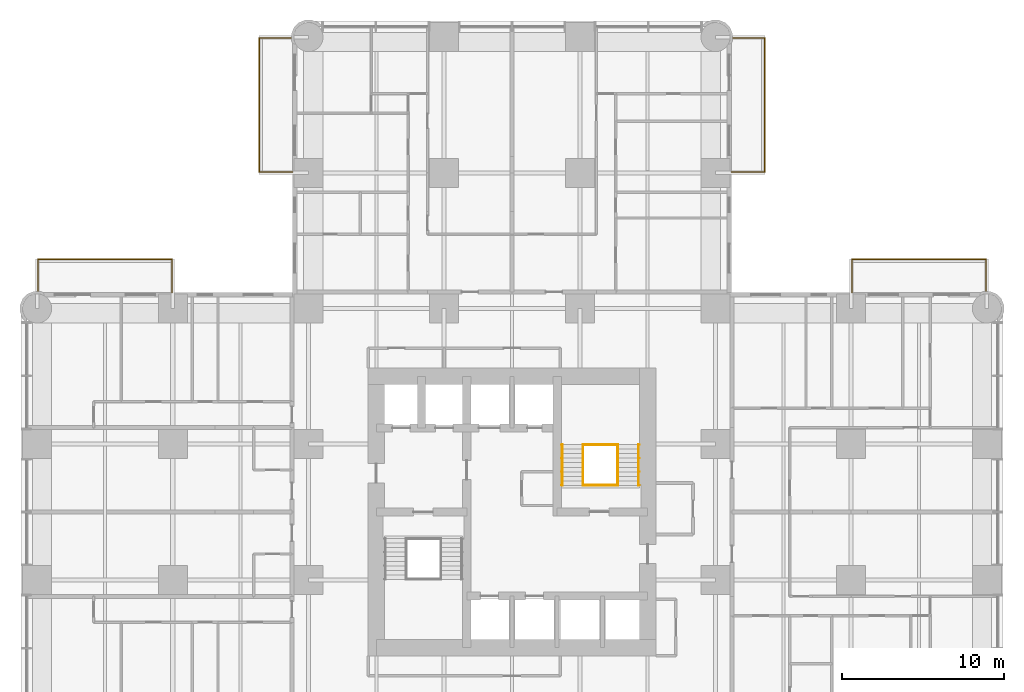
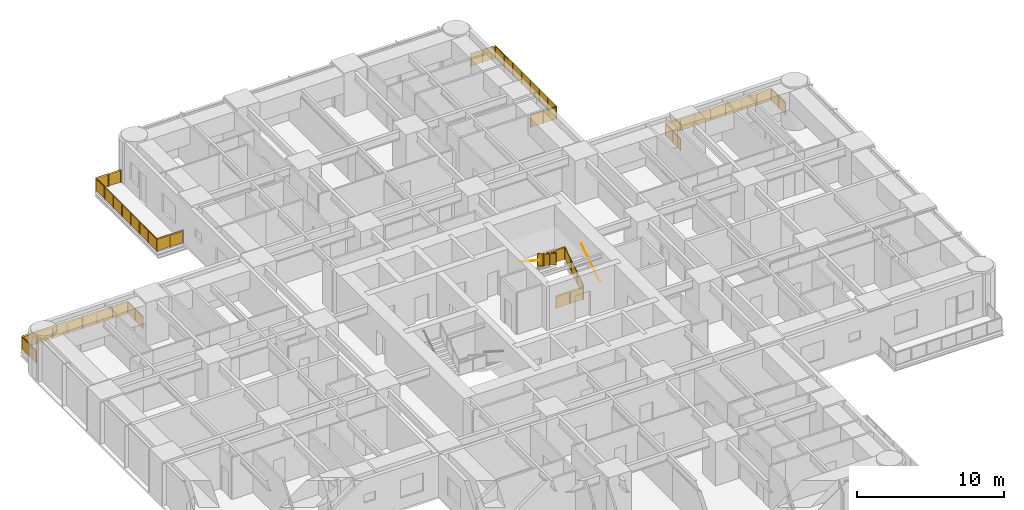
# One storey, part 17 of 17: 10 railings.
"""IFC4 building model written with IfcOpenShell, lengths in metres."""

from ifc_helpers import new_model, si_unit, direction, frame, origin, origin_2d, place, context, subcontext, project, spatial, polyline, circle, outline, extrude, material, constituent, constituent_set, type_object, element, save


model = new_model("IFC4")

# Units and contexts
model_context = context("Model", 3, precision=1e-05, world=origin(), true_north=direction((0.0, 1.0)))
body_context = subcontext(model_context, "Body", "Model", "MODEL_VIEW")
ifc_project = project(units=[si_unit("LENGTHUNIT", "METRE"), si_unit("AREAUNIT", "SQUARE_METRE"), si_unit("VOLUMEUNIT", "CUBIC_METRE"), si_unit("PLANEANGLEUNIT", "RADIAN"), si_unit("MASSUNIT", "GRAM", prefix="KILO")], contexts=[model_context])

# Site, building, storey
site_placement = place(None, origin())
site = spatial("IfcSite", under=ifc_project, at=site_placement, CompositionType="ELEMENT")
building_placement = place(site_placement, origin())
building = spatial("IfcBuilding", under=site, at=building_placement, Name="Torre Alcanfor", CompositionType="ELEMENT")
storey_placement = place(building_placement, frame((0.0, 0.0, 77.699951171875)))
storey = spatial("IfcBuildingStorey", under=building, at=storey_placement, Name="L19", CompositionType="ELEMENT", Elevation=77.699951171875)

# Railings
ifc_material_1 = material(Name="Laminated safety glass", Category="glass")
ifc_constituent_1 = constituent(ifc_material_1, Name="Infill")
ifc_material_2 = material(Name="Stainless steel ASTM A554 Grade MT 316L tube", Category="steel")
ifc_constituent_2 = constituent(ifc_material_2, Name="Posts and rail")
ifc_constituent_set = constituent_set(constituents=[ifc_constituent_1, ifc_constituent_2], Name="Balcony guard glass 1100")
railing_type_1 = type_object("IfcRailingType", Name="Balcony guard glass 1100", PredefinedType="BALUSTRADE", material=ifc_constituent_set)
railing_1_placement = place(storey_placement, frame((15.800048828125, 50.449951171875, 0.0)))
element("IfcRailing", 1, at=railing_1_placement, inside=storey, type_object=railing_type_1, Name="Balcony guard L19-N1", PredefinedType="BALUSTRADE", context=body_context, shape_type="SweptSolid", body=[
    extrude(circle(Radius=0.02392578125, at=origin_2d()), frame((0.0, 0.0, 1.076171875), z_axis=(-1.0, 0.0, 0.0), x_axis=(0.0, -1.0, 0.0)), (0.0, 0.0, 1.0), 2.050048828125),
    extrude(circle(Radius=0.02392578125, at=origin_2d()), frame((-2.050048828125, 0.0, 1.076171875), z_axis=(0.0, 1.0, 0.0), x_axis=(-1.0, 0.0, 0.0)), (0.0, 0.0, 1.0), 8.300048828125),
    extrude(circle(Radius=0.02392578125, at=origin_2d()), frame((-2.050048828125, 8.300048828125, 1.076171875), z_axis=(1.0, 0.0, 0.0), x_axis=(0.0, 1.0, 0.0)), (0.0, 0.0, 1.0), 1.968994140625),
    extrude(circle(Radius=0.02099609375, at=origin_2d()), origin(), (0.0, 0.0, 1.0), 1.052001953125),
    extrude(circle(Radius=0.02099609375, at=origin_2d()), frame((-1.02490234375, 0.0, 0.0)), (0.0, 0.0, 1.0), 1.052001953125),
    extrude(circle(Radius=0.02099609375, at=origin_2d()), frame((-2.050048828125, 0.0, 0.0)), (0.0, 0.0, 1.0), 1.052001953125),
    extrude(circle(Radius=0.02099609375, at=origin_2d()), frame((-2.050048828125, 1.185791015625, 0.0)), (0.0, 0.0, 1.0), 1.052001953125),
    extrude(circle(Radius=0.02099609375, at=origin_2d()), frame((-2.050048828125, 2.371337890625, 0.0)), (0.0, 0.0, 1.0), 1.052001953125),
    extrude(circle(Radius=0.02099609375, at=origin_2d()), frame((-2.050048828125, 3.55712890625, 0.0)), (0.0, 0.0, 1.0), 1.052001953125),
    extrude(circle(Radius=0.02099609375, at=origin_2d()), frame((-2.050048828125, 4.742919921875, 0.0)), (0.0, 0.0, 1.0), 1.052001953125),
    extrude(circle(Radius=0.02099609375, at=origin_2d()), frame((-2.050048828125, 5.9287109375, 0.0)), (0.0, 0.0, 1.0), 1.052001953125),
    extrude(circle(Radius=0.02099609375, at=origin_2d()), frame((-2.050048828125, 7.1142578125, 0.0)), (0.0, 0.0, 1.0), 1.052001953125),
    extrude(circle(Radius=0.02099609375, at=origin_2d()), frame((-2.050048828125, 8.300048828125, 0.0)), (0.0, 0.0, 1.0), 1.052001953125),
    extrude(circle(Radius=0.02099609375, at=origin_2d()), frame((-1.0654296875, 8.300048828125, 0.0)), (0.0, 0.0, 1.0), 1.052001953125),
    extrude(circle(Radius=0.02099609375, at=origin_2d()), frame((-0.0810546875, 8.300048828125, 0.0)), (0.0, 0.0, 1.0), 1.052001953125),
    extrude(outline(polyline([(0.041015625, 0.050048828125), (0.984130859375, 0.050048828125), (0.984130859375, 1.001953125), (0.041015625, 1.001953125), (0.041015625, 0.050048828125)])), frame((0.0, -0.005859375, 0.0), z_axis=(0.0, 1.0, 0.0), x_axis=(-1.0, 0.0, 0.0)), (0.0, 0.0, 1.0), 0.011962890625),
    extrude(outline(polyline([(1.06591796875, 0.050048828125), (2.009033203125, 0.050048828125), (2.009033203125, 1.001953125), (1.06591796875, 1.001953125), (1.06591796875, 0.050048828125)])), frame((0.0, -0.005859375, 0.0), z_axis=(0.0, 1.0, 0.0), x_axis=(-1.0, 0.0, 0.0)), (0.0, 0.0, 1.0), 0.011962890625),
    extrude(outline(polyline([(0.041015625, 0.050048828125), (1.144775390625, 0.050048828125), (1.144775390625, 1.001953125), (0.041015625, 1.001953125), (0.041015625, 0.050048828125)])), frame((-2.05615234375, 0.0, 0.0), z_axis=(1.0, 0.0, 0.0), x_axis=(0.0, 1.0, 0.0)), (0.0, 0.0, 1.0), 0.011962890625),
    extrude(outline(polyline([(1.226806640625, 0.050048828125), (2.330322265625, 0.050048828125), (2.330322265625, 1.001953125), (1.226806640625, 1.001953125), (1.226806640625, 0.050048828125)])), frame((-2.05615234375, 0.0, 0.0), z_axis=(1.0, 0.0, 0.0), x_axis=(0.0, 1.0, 0.0)), (0.0, 0.0, 1.0), 0.011962890625),
    extrude(outline(polyline([(2.412353515625, 0.050048828125), (3.51611328125, 0.050048828125), (3.51611328125, 1.001953125), (2.412353515625, 1.001953125), (2.412353515625, 0.050048828125)])), frame((-2.05615234375, 0.0, 0.0), z_axis=(1.0, 0.0, 0.0), x_axis=(0.0, 1.0, 0.0)), (0.0, 0.0, 1.0), 0.011962890625),
    extrude(outline(polyline([(3.59814453125, 0.050048828125), (4.701904296875, 0.050048828125), (4.701904296875, 1.001953125), (3.59814453125, 1.001953125), (3.59814453125, 0.050048828125)])), frame((-2.05615234375, 0.0, 0.0), z_axis=(1.0, 0.0, 0.0), x_axis=(0.0, 1.0, 0.0)), (0.0, 0.0, 1.0), 0.011962890625),
    extrude(outline(polyline([(4.783935546875, 0.050048828125), (5.8876953125, 0.050048828125), (5.8876953125, 1.001953125), (4.783935546875, 1.001953125), (4.783935546875, 0.050048828125)])), frame((-2.05615234375, 0.0, 0.0), z_axis=(1.0, 0.0, 0.0), x_axis=(0.0, 1.0, 0.0)), (0.0, 0.0, 1.0), 0.011962890625),
    extrude(outline(polyline([(5.9697265625, 0.050048828125), (7.0732421875, 0.050048828125), (7.0732421875, 1.001953125), (5.9697265625, 1.001953125), (5.9697265625, 0.050048828125)])), frame((-2.05615234375, 0.0, 0.0), z_axis=(1.0, 0.0, 0.0), x_axis=(0.0, 1.0, 0.0)), (0.0, 0.0, 1.0), 0.011962890625),
    extrude(outline(polyline([(7.1552734375, 0.050048828125), (8.259033203125, 0.050048828125), (8.259033203125, 1.001953125), (7.1552734375, 1.001953125), (7.1552734375, 0.050048828125)])), frame((-2.05615234375, 0.0, 0.0), z_axis=(1.0, 0.0, 0.0), x_axis=(0.0, 1.0, 0.0)), (0.0, 0.0, 1.0), 0.011962890625),
    extrude(outline(polyline([(0.041015625, 0.050048828125), (0.943603515625, 0.050048828125), (0.943603515625, 1.001953125), (0.041015625, 1.001953125), (0.041015625, 0.050048828125)])), frame((-2.050048828125, 8.30615234375, 0.0), z_axis=(0.0, -1.0, 0.0), x_axis=(1.0, 0.0, 0.0)), (0.0, 0.0, 1.0), 0.011962890625),
    extrude(outline(polyline([(1.025390625, 0.050048828125), (1.927978515625, 0.050048828125), (1.927978515625, 1.001953125), (1.025390625, 1.001953125), (1.025390625, 0.050048828125)])), frame((-2.050048828125, 8.30615234375, 0.0), z_axis=(0.0, -1.0, 0.0), x_axis=(1.0, 0.0, 0.0)), (0.0, 0.0, 1.0), 0.011962890625),
])
railing_2_placement = place(storey_placement, frame((43.0, 50.449951171875, 0.0)))
element("IfcRailing", 2, at=railing_2_placement, inside=storey, type_object=railing_type_1, Name="Balcony guard L19-N2", PredefinedType="BALUSTRADE", context=body_context, shape_type="SweptSolid", body=[
    extrude(circle(Radius=0.02392578125, at=origin_2d()), frame((0.0, 0.0, 1.076171875), z_axis=(1.0, 0.0, 0.0), x_axis=(0.0, 1.0, 0.0)), (0.0, 0.0, 1.0), 2.050048828125),
    extrude(circle(Radius=0.02392578125, at=origin_2d()), frame((2.050048828125, 0.0, 1.076171875), z_axis=(0.0, 1.0, 0.0), x_axis=(-1.0, 0.0, 0.0)), (0.0, 0.0, 1.0), 8.300048828125),
    extrude(circle(Radius=0.02392578125, at=origin_2d()), frame((2.050048828125, 8.300048828125, 1.076171875), z_axis=(-1.0, 0.0, 0.0), x_axis=(0.0, -1.0, 0.0)), (0.0, 0.0, 1.0), 1.968994140625),
    extrude(circle(Radius=0.02099609375, at=origin_2d()), origin(), (0.0, 0.0, 1.0), 1.052001953125),
    extrude(circle(Radius=0.02099609375, at=origin_2d()), frame((1.02490234375, 0.0, 0.0)), (0.0, 0.0, 1.0), 1.052001953125),
    extrude(circle(Radius=0.02099609375, at=origin_2d()), frame((2.050048828125, 0.0, 0.0)), (0.0, 0.0, 1.0), 1.052001953125),
    extrude(circle(Radius=0.02099609375, at=origin_2d()), frame((2.050048828125, 1.185791015625, 0.0)), (0.0, 0.0, 1.0), 1.052001953125),
    extrude(circle(Radius=0.02099609375, at=origin_2d()), frame((2.050048828125, 2.371337890625, 0.0)), (0.0, 0.0, 1.0), 1.052001953125),
    extrude(circle(Radius=0.02099609375, at=origin_2d()), frame((2.050048828125, 3.55712890625, 0.0)), (0.0, 0.0, 1.0), 1.052001953125),
    extrude(circle(Radius=0.02099609375, at=origin_2d()), frame((2.050048828125, 4.742919921875, 0.0)), (0.0, 0.0, 1.0), 1.052001953125),
    extrude(circle(Radius=0.02099609375, at=origin_2d()), frame((2.050048828125, 5.9287109375, 0.0)), (0.0, 0.0, 1.0), 1.052001953125),
    extrude(circle(Radius=0.02099609375, at=origin_2d()), frame((2.050048828125, 7.1142578125, 0.0)), (0.0, 0.0, 1.0), 1.052001953125),
    extrude(circle(Radius=0.02099609375, at=origin_2d()), frame((2.050048828125, 8.300048828125, 0.0)), (0.0, 0.0, 1.0), 1.052001953125),
    extrude(circle(Radius=0.02099609375, at=origin_2d()), frame((1.0654296875, 8.300048828125, 0.0)), (0.0, 0.0, 1.0), 1.052001953125),
    extrude(circle(Radius=0.02099609375, at=origin_2d()), frame((0.0810546875, 8.300048828125, 0.0)), (0.0, 0.0, 1.0), 1.052001953125),
    extrude(outline(polyline([(0.041015625, 0.050048828125), (0.984130859375, 0.050048828125), (0.984130859375, 1.001953125), (0.041015625, 1.001953125), (0.041015625, 0.050048828125)])), frame((0.0, 0.005859375, 0.0), z_axis=(0.0, -1.0, 0.0), x_axis=(1.0, 0.0, 0.0)), (0.0, 0.0, 1.0), 0.011962890625),
    extrude(outline(polyline([(1.06591796875, 0.050048828125), (2.009033203125, 0.050048828125), (2.009033203125, 1.001953125), (1.06591796875, 1.001953125), (1.06591796875, 0.050048828125)])), frame((0.0, 0.005859375, 0.0), z_axis=(0.0, -1.0, 0.0), x_axis=(1.0, 0.0, 0.0)), (0.0, 0.0, 1.0), 0.011962890625),
    extrude(outline(polyline([(0.041015625, 0.050048828125), (1.144775390625, 0.050048828125), (1.144775390625, 1.001953125), (0.041015625, 1.001953125), (0.041015625, 0.050048828125)])), frame((2.0439453125, 0.0, 0.0), z_axis=(1.0, 0.0, 0.0), x_axis=(0.0, 1.0, 0.0)), (0.0, 0.0, 1.0), 0.011962890625),
    extrude(outline(polyline([(1.226806640625, 0.050048828125), (2.330322265625, 0.050048828125), (2.330322265625, 1.001953125), (1.226806640625, 1.001953125), (1.226806640625, 0.050048828125)])), frame((2.0439453125, 0.0, 0.0), z_axis=(1.0, 0.0, 0.0), x_axis=(0.0, 1.0, 0.0)), (0.0, 0.0, 1.0), 0.011962890625),
    extrude(outline(polyline([(2.412353515625, 0.050048828125), (3.51611328125, 0.050048828125), (3.51611328125, 1.001953125), (2.412353515625, 1.001953125), (2.412353515625, 0.050048828125)])), frame((2.0439453125, 0.0, 0.0), z_axis=(1.0, 0.0, 0.0), x_axis=(0.0, 1.0, 0.0)), (0.0, 0.0, 1.0), 0.011962890625),
    extrude(outline(polyline([(3.59814453125, 0.050048828125), (4.701904296875, 0.050048828125), (4.701904296875, 1.001953125), (3.59814453125, 1.001953125), (3.59814453125, 0.050048828125)])), frame((2.0439453125, 0.0, 0.0), z_axis=(1.0, 0.0, 0.0), x_axis=(0.0, 1.0, 0.0)), (0.0, 0.0, 1.0), 0.011962890625),
    extrude(outline(polyline([(4.783935546875, 0.050048828125), (5.8876953125, 0.050048828125), (5.8876953125, 1.001953125), (4.783935546875, 1.001953125), (4.783935546875, 0.050048828125)])), frame((2.0439453125, 0.0, 0.0), z_axis=(1.0, 0.0, 0.0), x_axis=(0.0, 1.0, 0.0)), (0.0, 0.0, 1.0), 0.011962890625),
    extrude(outline(polyline([(5.9697265625, 0.050048828125), (7.0732421875, 0.050048828125), (7.0732421875, 1.001953125), (5.9697265625, 1.001953125), (5.9697265625, 0.050048828125)])), frame((2.0439453125, 0.0, 0.0), z_axis=(1.0, 0.0, 0.0), x_axis=(0.0, 1.0, 0.0)), (0.0, 0.0, 1.0), 0.011962890625),
    extrude(outline(polyline([(7.1552734375, 0.050048828125), (8.259033203125, 0.050048828125), (8.259033203125, 1.001953125), (7.1552734375, 1.001953125), (7.1552734375, 0.050048828125)])), frame((2.0439453125, 0.0, 0.0), z_axis=(1.0, 0.0, 0.0), x_axis=(0.0, 1.0, 0.0)), (0.0, 0.0, 1.0), 0.011962890625),
    extrude(outline(polyline([(0.041015625, 0.050048828125), (0.943603515625, 0.050048828125), (0.943603515625, 1.001953125), (0.041015625, 1.001953125), (0.041015625, 0.050048828125)])), frame((2.050048828125, 8.2939453125, 0.0), z_axis=(0.0, 1.0, 0.0), x_axis=(-1.0, 0.0, 0.0)), (0.0, 0.0, 1.0), 0.011962890625),
    extrude(outline(polyline([(1.025390625, 0.050048828125), (1.927978515625, 0.050048828125), (1.927978515625, 1.001953125), (1.025390625, 1.001953125), (1.025390625, 0.050048828125)])), frame((2.050048828125, 8.2939453125, 0.0), z_axis=(0.0, 1.0, 0.0), x_axis=(-1.0, 0.0, 0.0)), (0.0, 0.0, 1.0), 0.011962890625),
])
railing_3_placement = place(storey_placement, frame((50.449951171875, 43.0, 0.0)))
element("IfcRailing", 3, at=railing_3_placement, inside=storey, type_object=railing_type_1, Name="Balcony guard L19-E1", PredefinedType="BALUSTRADE", context=body_context, shape_type="SweptSolid", body=[
    extrude(circle(Radius=0.02392578125, at=origin_2d()), frame((0.0, 0.0, 1.076171875), z_axis=(0.0, 1.0, 0.0), x_axis=(-1.0, 0.0, 0.0)), (0.0, 0.0, 1.0), 2.050048828125),
    extrude(circle(Radius=0.02392578125, at=origin_2d()), frame((0.0, 2.050048828125, 1.076171875), z_axis=(1.0, 0.0, 0.0), x_axis=(0.0, 1.0, 0.0)), (0.0, 0.0, 1.0), 8.300048828125),
    extrude(circle(Radius=0.02392578125, at=origin_2d()), frame((8.300048828125, 2.050048828125, 1.076171875), z_axis=(0.0, -1.0, 0.0), x_axis=(1.0, 0.0, 0.0)), (0.0, 0.0, 1.0), 1.968994140625),
    extrude(circle(Radius=0.02099609375, at=origin_2d()), origin(), (0.0, 0.0, 1.0), 1.052001953125),
    extrude(circle(Radius=0.02099609375, at=origin_2d()), frame((0.0, 1.02490234375, 0.0)), (0.0, 0.0, 1.0), 1.052001953125),
    extrude(circle(Radius=0.02099609375, at=origin_2d()), frame((0.0, 2.050048828125, 0.0)), (0.0, 0.0, 1.0), 1.052001953125),
    extrude(circle(Radius=0.02099609375, at=origin_2d()), frame((1.185791015625, 2.050048828125, 0.0)), (0.0, 0.0, 1.0), 1.052001953125),
    extrude(circle(Radius=0.02099609375, at=origin_2d()), frame((2.371337890625, 2.050048828125, 0.0)), (0.0, 0.0, 1.0), 1.052001953125),
    extrude(circle(Radius=0.02099609375, at=origin_2d()), frame((3.55712890625, 2.050048828125, 0.0)), (0.0, 0.0, 1.0), 1.052001953125),
    extrude(circle(Radius=0.02099609375, at=origin_2d()), frame((4.742919921875, 2.050048828125, 0.0)), (0.0, 0.0, 1.0), 1.052001953125),
    extrude(circle(Radius=0.02099609375, at=origin_2d()), frame((5.9287109375, 2.050048828125, 0.0)), (0.0, 0.0, 1.0), 1.052001953125),
    extrude(circle(Radius=0.02099609375, at=origin_2d()), frame((7.1142578125, 2.050048828125, 0.0)), (0.0, 0.0, 1.0), 1.052001953125),
    extrude(circle(Radius=0.02099609375, at=origin_2d()), frame((8.300048828125, 2.050048828125, 0.0)), (0.0, 0.0, 1.0), 1.052001953125),
    extrude(circle(Radius=0.02099609375, at=origin_2d()), frame((8.300048828125, 1.0654296875, 0.0)), (0.0, 0.0, 1.0), 1.052001953125),
    extrude(circle(Radius=0.02099609375, at=origin_2d()), frame((8.300048828125, 0.0810546875, 0.0)), (0.0, 0.0, 1.0), 1.052001953125),
    extrude(outline(polyline([(0.041015625, 0.050048828125), (0.984130859375, 0.050048828125), (0.984130859375, 1.001953125), (0.041015625, 1.001953125), (0.041015625, 0.050048828125)])), frame((-0.005859375, 0.0, 0.0), z_axis=(1.0, 0.0, 0.0), x_axis=(0.0, 1.0, 0.0)), (0.0, 0.0, 1.0), 0.011962890625),
    extrude(outline(polyline([(1.06591796875, 0.050048828125), (2.009033203125, 0.050048828125), (2.009033203125, 1.001953125), (1.06591796875, 1.001953125), (1.06591796875, 0.050048828125)])), frame((-0.005859375, 0.0, 0.0), z_axis=(1.0, 0.0, 0.0), x_axis=(0.0, 1.0, 0.0)), (0.0, 0.0, 1.0), 0.011962890625),
    extrude(outline(polyline([(0.041015625, 0.050048828125), (1.144775390625, 0.050048828125), (1.144775390625, 1.001953125), (0.041015625, 1.001953125), (0.041015625, 0.050048828125)])), frame((0.0, 2.05615234375, 0.0), z_axis=(0.0, -1.0, 0.0), x_axis=(1.0, 0.0, 0.0)), (0.0, 0.0, 1.0), 0.011962890625),
    extrude(outline(polyline([(1.226806640625, 0.050048828125), (2.330322265625, 0.050048828125), (2.330322265625, 1.001953125), (1.226806640625, 1.001953125), (1.226806640625, 0.050048828125)])), frame((0.0, 2.05615234375, 0.0), z_axis=(0.0, -1.0, 0.0), x_axis=(1.0, 0.0, 0.0)), (0.0, 0.0, 1.0), 0.011962890625),
    extrude(outline(polyline([(2.412353515625, 0.050048828125), (3.51611328125, 0.050048828125), (3.51611328125, 1.001953125), (2.412353515625, 1.001953125), (2.412353515625, 0.050048828125)])), frame((0.0, 2.05615234375, 0.0), z_axis=(0.0, -1.0, 0.0), x_axis=(1.0, 0.0, 0.0)), (0.0, 0.0, 1.0), 0.011962890625),
    extrude(outline(polyline([(3.59814453125, 0.050048828125), (4.701904296875, 0.050048828125), (4.701904296875, 1.001953125), (3.59814453125, 1.001953125), (3.59814453125, 0.050048828125)])), frame((0.0, 2.05615234375, 0.0), z_axis=(0.0, -1.0, 0.0), x_axis=(1.0, 0.0, 0.0)), (0.0, 0.0, 1.0), 0.011962890625),
    extrude(outline(polyline([(4.783935546875, 0.050048828125), (5.8876953125, 0.050048828125), (5.8876953125, 1.001953125), (4.783935546875, 1.001953125), (4.783935546875, 0.050048828125)])), frame((0.0, 2.05615234375, 0.0), z_axis=(0.0, -1.0, 0.0), x_axis=(1.0, 0.0, 0.0)), (0.0, 0.0, 1.0), 0.011962890625),
    extrude(outline(polyline([(5.9697265625, 0.050048828125), (7.0732421875, 0.050048828125), (7.0732421875, 1.001953125), (5.9697265625, 1.001953125), (5.9697265625, 0.050048828125)])), frame((0.0, 2.05615234375, 0.0), z_axis=(0.0, -1.0, 0.0), x_axis=(1.0, 0.0, 0.0)), (0.0, 0.0, 1.0), 0.011962890625),
    extrude(outline(polyline([(7.1552734375, 0.050048828125), (8.259033203125, 0.050048828125), (8.259033203125, 1.001953125), (7.1552734375, 1.001953125), (7.1552734375, 0.050048828125)])), frame((0.0, 2.05615234375, 0.0), z_axis=(0.0, -1.0, 0.0), x_axis=(1.0, 0.0, 0.0)), (0.0, 0.0, 1.0), 0.011962890625),
    extrude(outline(polyline([(0.041015625, 0.050048828125), (0.943603515625, 0.050048828125), (0.943603515625, 1.001953125), (0.041015625, 1.001953125), (0.041015625, 0.050048828125)])), frame((8.30615234375, 2.050048828125, 0.0), z_axis=(-1.0, 0.0, 0.0), x_axis=(0.0, -1.0, 0.0)), (0.0, 0.0, 1.0), 0.011962890625),
    extrude(outline(polyline([(1.025390625, 0.050048828125), (1.927978515625, 0.050048828125), (1.927978515625, 1.001953125), (1.025390625, 1.001953125), (1.025390625, 0.050048828125)])), frame((8.30615234375, 2.050048828125, 0.0), z_axis=(-1.0, 0.0, 0.0), x_axis=(0.0, -1.0, 0.0)), (0.0, 0.0, 1.0), 0.011962890625),
])
railing_4_placement = place(storey_placement, frame((8.35009765625, 43.0, 0.0)))
element("IfcRailing", 4, at=railing_4_placement, inside=storey, type_object=railing_type_1, Name="Balcony guard L19-W2", PredefinedType="BALUSTRADE", context=body_context, shape_type="SweptSolid", body=[
    extrude(circle(Radius=0.02392578125, at=origin_2d()), frame((0.0, 0.0, 1.076171875), z_axis=(0.0, 1.0, 0.0), x_axis=(-1.0, 0.0, 0.0)), (0.0, 0.0, 1.0), 2.050048828125),
    extrude(circle(Radius=0.02392578125, at=origin_2d()), frame((0.0, 2.050048828125, 1.076171875), z_axis=(-1.0, 0.0, 0.0), x_axis=(0.0, -1.0, 0.0)), (0.0, 0.0, 1.0), 8.300048828125),
    extrude(circle(Radius=0.02392578125, at=origin_2d()), frame((-8.300048828125, 2.050048828125, 1.076171875), z_axis=(0.0, -1.0, 0.0), x_axis=(1.0, 0.0, 0.0)), (0.0, 0.0, 1.0), 1.968994140625),
    extrude(circle(Radius=0.02099609375, at=origin_2d()), origin(), (0.0, 0.0, 1.0), 1.052001953125),
    extrude(circle(Radius=0.02099609375, at=origin_2d()), frame((0.0, 1.02490234375, 0.0)), (0.0, 0.0, 1.0), 1.052001953125),
    extrude(circle(Radius=0.02099609375, at=origin_2d()), frame((0.0, 2.050048828125, 0.0)), (0.0, 0.0, 1.0), 1.052001953125),
    extrude(circle(Radius=0.02099609375, at=origin_2d()), frame((-1.185791015625, 2.050048828125, 0.0)), (0.0, 0.0, 1.0), 1.052001953125),
    extrude(circle(Radius=0.02099609375, at=origin_2d()), frame((-2.371337890625, 2.050048828125, 0.0)), (0.0, 0.0, 1.0), 1.052001953125),
    extrude(circle(Radius=0.02099609375, at=origin_2d()), frame((-3.55712890625, 2.050048828125, 0.0)), (0.0, 0.0, 1.0), 1.052001953125),
    extrude(circle(Radius=0.02099609375, at=origin_2d()), frame((-4.742919921875, 2.050048828125, 0.0)), (0.0, 0.0, 1.0), 1.052001953125),
    extrude(circle(Radius=0.02099609375, at=origin_2d()), frame((-5.9287109375, 2.050048828125, 0.0)), (0.0, 0.0, 1.0), 1.052001953125),
    extrude(circle(Radius=0.02099609375, at=origin_2d()), frame((-7.1142578125, 2.050048828125, 0.0)), (0.0, 0.0, 1.0), 1.052001953125),
    extrude(circle(Radius=0.02099609375, at=origin_2d()), frame((-8.300048828125, 2.050048828125, 0.0)), (0.0, 0.0, 1.0), 1.052001953125),
    extrude(circle(Radius=0.02099609375, at=origin_2d()), frame((-8.300048828125, 1.0654296875, 0.0)), (0.0, 0.0, 1.0), 1.052001953125),
    extrude(circle(Radius=0.02099609375, at=origin_2d()), frame((-8.300048828125, 0.0810546875, 0.0)), (0.0, 0.0, 1.0), 1.052001953125),
    extrude(outline(polyline([(0.041015625, 0.050048828125), (0.984130859375, 0.050048828125), (0.984130859375, 1.001953125), (0.041015625, 1.001953125), (0.041015625, 0.050048828125)])), frame((-0.005859375, 0.0, 0.0), z_axis=(1.0, 0.0, 0.0), x_axis=(0.0, 1.0, 0.0)), (0.0, 0.0, 1.0), 0.011962890625),
    extrude(outline(polyline([(1.06591796875, 0.050048828125), (2.009033203125, 0.050048828125), (2.009033203125, 1.001953125), (1.06591796875, 1.001953125), (1.06591796875, 0.050048828125)])), frame((-0.005859375, 0.0, 0.0), z_axis=(1.0, 0.0, 0.0), x_axis=(0.0, 1.0, 0.0)), (0.0, 0.0, 1.0), 0.011962890625),
    extrude(outline(polyline([(0.041015625, 0.050048828125), (1.144775390625, 0.050048828125), (1.144775390625, 1.001953125), (0.041015625, 1.001953125), (0.041015625, 0.050048828125)])), frame((0.0, 2.0439453125, 0.0), z_axis=(0.0, 1.0, 0.0), x_axis=(-1.0, 0.0, 0.0)), (0.0, 0.0, 1.0), 0.011962890625),
    extrude(outline(polyline([(1.226806640625, 0.050048828125), (2.330322265625, 0.050048828125), (2.330322265625, 1.001953125), (1.226806640625, 1.001953125), (1.226806640625, 0.050048828125)])), frame((0.0, 2.0439453125, 0.0), z_axis=(0.0, 1.0, 0.0), x_axis=(-1.0, 0.0, 0.0)), (0.0, 0.0, 1.0), 0.011962890625),
    extrude(outline(polyline([(2.412353515625, 0.050048828125), (3.51611328125, 0.050048828125), (3.51611328125, 1.001953125), (2.412353515625, 1.001953125), (2.412353515625, 0.050048828125)])), frame((0.0, 2.0439453125, 0.0), z_axis=(0.0, 1.0, 0.0), x_axis=(-1.0, 0.0, 0.0)), (0.0, 0.0, 1.0), 0.011962890625),
    extrude(outline(polyline([(3.59814453125, 0.050048828125), (4.701904296875, 0.050048828125), (4.701904296875, 1.001953125), (3.59814453125, 1.001953125), (3.59814453125, 0.050048828125)])), frame((0.0, 2.0439453125, 0.0), z_axis=(0.0, 1.0, 0.0), x_axis=(-1.0, 0.0, 0.0)), (0.0, 0.0, 1.0), 0.011962890625),
    extrude(outline(polyline([(4.783935546875, 0.050048828125), (5.8876953125, 0.050048828125), (5.8876953125, 1.001953125), (4.783935546875, 1.001953125), (4.783935546875, 0.050048828125)])), frame((0.0, 2.0439453125, 0.0), z_axis=(0.0, 1.0, 0.0), x_axis=(-1.0, 0.0, 0.0)), (0.0, 0.0, 1.0), 0.011962890625),
    extrude(outline(polyline([(5.9697265625, 0.050048828125), (7.0732421875, 0.050048828125), (7.0732421875, 1.001953125), (5.9697265625, 1.001953125), (5.9697265625, 0.050048828125)])), frame((0.0, 2.0439453125, 0.0), z_axis=(0.0, 1.0, 0.0), x_axis=(-1.0, 0.0, 0.0)), (0.0, 0.0, 1.0), 0.011962890625),
    extrude(outline(polyline([(7.1552734375, 0.050048828125), (8.259033203125, 0.050048828125), (8.259033203125, 1.001953125), (7.1552734375, 1.001953125), (7.1552734375, 0.050048828125)])), frame((0.0, 2.0439453125, 0.0), z_axis=(0.0, 1.0, 0.0), x_axis=(-1.0, 0.0, 0.0)), (0.0, 0.0, 1.0), 0.011962890625),
    extrude(outline(polyline([(0.041015625, 0.050048828125), (0.943603515625, 0.050048828125), (0.943603515625, 1.001953125), (0.041015625, 1.001953125), (0.041015625, 0.050048828125)])), frame((-8.2939453125, 2.050048828125, 0.0), z_axis=(-1.0, 0.0, 0.0), x_axis=(0.0, -1.0, 0.0)), (0.0, 0.0, 1.0), 0.011962890625),
    extrude(outline(polyline([(1.025390625, 0.050048828125), (1.927978515625, 0.050048828125), (1.927978515625, 1.001953125), (1.025390625, 1.001953125), (1.025390625, 0.050048828125)])), frame((-8.2939453125, 2.050048828125, 0.0), z_axis=(-1.0, 0.0, 0.0), x_axis=(0.0, -1.0, 0.0)), (0.0, 0.0, 1.0), 0.011962890625),
])
ifc_material_3 = material(Name="Steel ASTM A500 Grade C hollow sections", Category="steel")
railing_type_2 = type_object("IfcRailingType", Name="Stair guard and handrail 1100", PredefinedType="GUARDRAIL", material=ifc_material_3)
railing_5_placement = place(storey_placement, frame((35.949951171875, 31.050048828125, 0.179931640625)))
element("IfcRailing", 5, at=railing_5_placement, inside=storey, type_object=railing_type_2, Name="Stair guard S2 L19 flight 1", PredefinedType="GUARDRAIL", context=body_context, shape_type="SweptSolid", body=[
    extrude(circle(Radius=0.02392578125, at=origin_2d()), frame((0.0, 0.0, 1.076171875), z_axis=(0.0, 0.841162588446, 0.540782303519), x_axis=(-1.0, 0.0, 0.0)), (0.0, 0.0, 1.0), 2.995849609375),
    extrude(circle(Radius=0.02099609375, at=origin_2d()), origin(), (0.0, 0.0, 1.0), 1.052001953125),
    extrude(circle(Radius=0.02099609375, at=origin_2d()), frame((0.0, 0.840087890625, 0.5400390625)), (0.0, 0.0, 1.0), 1.052001953125),
    extrude(circle(Radius=0.02099609375, at=origin_2d()), frame((0.0, 1.679931640625, 1.080078125)), (0.0, 0.0, 1.0), 1.052001953125),
    extrude(circle(Radius=0.02099609375, at=origin_2d()), frame((0.0, 2.52001953125, 1.6201171875)), (0.0, 0.0, 1.0), 1.052001953125),
    extrude(outline(polyline([(0.041015625, 0.076416015625), (0.799072265625, 0.563720703125), (0.799072265625, 1.515625), (0.041015625, 1.0283203125), (0.041015625, 0.076416015625)])), frame((-0.005859375, 0.0, 0.0), z_axis=(1.0, 0.0, 0.0), x_axis=(0.0, 1.0, 0.0)), (0.0, 0.0, 1.0), 0.011962890625),
    extrude(outline(polyline([(0.881103515625, 0.616455078125), (1.638916015625, 1.103759765625), (1.638916015625, 2.0556640625), (0.881103515625, 1.568359375), (0.881103515625, 0.616455078125)])), frame((-0.005859375, 0.0, 0.0), z_axis=(1.0, 0.0, 0.0), x_axis=(0.0, 1.0, 0.0)), (0.0, 0.0, 1.0), 0.011962890625),
    extrude(outline(polyline([(1.720947265625, 1.156494140625), (2.47900390625, 1.643798828125), (2.47900390625, 2.595703125), (1.720947265625, 2.1083984375), (1.720947265625, 1.156494140625)])), frame((-0.005859375, 0.0, 0.0), z_axis=(1.0, 0.0, 0.0), x_axis=(0.0, 1.0, 0.0)), (0.0, 0.0, 1.0), 0.011962890625),
])
railing_6_placement = place(storey_placement, frame((33.800048828125, 33.570068359375, 1.97998046875)))
element("IfcRailing", 6, at=railing_6_placement, inside=storey, type_object=railing_type_2, Name="Stair guard S2 L19 flight 2", PredefinedType="GUARDRAIL", context=body_context, shape_type="SweptSolid", body=[
    extrude(circle(Radius=0.02392578125, at=origin_2d()), frame((0.0, 0.0, 1.076171875), z_axis=(0.0, -0.841162588446, 0.540782303519), x_axis=(1.0, 0.0, 0.0)), (0.0, 0.0, 1.0), 2.995849609375),
    extrude(circle(Radius=0.02099609375, at=origin_2d()), origin(), (0.0, 0.0, 1.0), 1.052001953125),
    extrude(circle(Radius=0.02099609375, at=origin_2d()), frame((0.0, -0.840087890625, 0.5400390625)), (0.0, 0.0, 1.0), 1.052001953125),
    extrude(circle(Radius=0.02099609375, at=origin_2d()), frame((0.0, -1.679931640625, 1.080078125)), (0.0, 0.0, 1.0), 1.052001953125),
    extrude(circle(Radius=0.02099609375, at=origin_2d()), frame((0.0, -2.52001953125, 1.6201171875)), (0.0, 0.0, 1.0), 1.052001953125),
    extrude(outline(polyline([(0.041015625, 0.076416015625), (0.799072265625, 0.563720703125), (0.799072265625, 1.515625), (0.041015625, 1.0283203125), (0.041015625, 0.076416015625)])), frame((0.005859375, 0.0, 0.0), z_axis=(-1.0, 0.0, 0.0), x_axis=(0.0, -1.0, 0.0)), (0.0, 0.0, 1.0), 0.011962890625),
    extrude(outline(polyline([(0.881103515625, 0.616455078125), (1.638916015625, 1.103759765625), (1.638916015625, 2.0556640625), (0.881103515625, 1.568359375), (0.881103515625, 0.616455078125)])), frame((0.005859375, 0.0, 0.0), z_axis=(-1.0, 0.0, 0.0), x_axis=(0.0, -1.0, 0.0)), (0.0, 0.0, 1.0), 0.011962890625),
    extrude(outline(polyline([(1.720947265625, 1.156494140625), (2.47900390625, 1.643798828125), (2.47900390625, 2.595703125), (1.720947265625, 2.1083984375), (1.720947265625, 1.156494140625)])), frame((0.005859375, 0.0, 0.0), z_axis=(-1.0, 0.0, 0.0), x_axis=(0.0, -1.0, 0.0)), (0.0, 0.0, 1.0), 0.011962890625),
])
for number, where, name in (
    (7, (33.800048828125, 31.050048828125, 0.0), "Stair well guard S2 L19 floor landing"),
    (8, (33.800048828125, 33.570068359375, 1.800048828125), "Stair well guard S2 L19 half landing"),
):
    element("IfcRailing", number, at=place(storey_placement, frame(where)), inside=storey, type_object=railing_type_2, Name=name, PredefinedType="GUARDRAIL", context=body_context, shape_type="SweptSolid", body=[
        extrude(circle(Radius=0.02392578125, at=origin_2d()), frame((0.0, 0.0, 1.076171875), z_axis=(1.0, 0.0, 0.0), x_axis=(0.0, 1.0, 0.0)), (0.0, 0.0, 1.0), 2.14990234375),
        extrude(circle(Radius=0.02099609375, at=origin_2d()), origin(), (0.0, 0.0, 1.0), 1.052001953125),
        extrude(circle(Radius=0.02099609375, at=origin_2d()), frame((1.074951171875, 0.0, 0.0)), (0.0, 0.0, 1.0), 1.052001953125),
        extrude(circle(Radius=0.02099609375, at=origin_2d()), frame((2.14990234375, 0.0, 0.0)), (0.0, 0.0, 1.0), 1.052001953125),
        extrude(outline(polyline([(0.041015625, 0.050048828125), (1.033935546875, 0.050048828125), (1.033935546875, 1.001953125), (0.041015625, 1.001953125), (0.041015625, 0.050048828125)])), frame((0.0, 0.005859375, 0.0), z_axis=(0.0, -1.0, 0.0), x_axis=(1.0, 0.0, 0.0)), (0.0, 0.0, 1.0), 0.011962890625),
        extrude(outline(polyline([(1.115966796875, 0.050048828125), (2.10888671875, 0.050048828125), (2.10888671875, 1.001953125), (1.115966796875, 1.001953125), (1.115966796875, 0.050048828125)])), frame((0.0, 0.005859375, 0.0), z_axis=(0.0, -1.0, 0.0), x_axis=(1.0, 0.0, 0.0)), (0.0, 0.0, 1.0), 0.011962890625),
    ])
ifc_material_4 = material(Name="Steel ASTM A500 Grade C hollow sections", Category="steel")
railing_type_3 = type_object("IfcRailingType", Name="Stair wall handrail 900", PredefinedType="HANDRAIL", material=ifc_material_4)
railing_7_placement = place(storey_placement, frame((37.235107421875, 31.050048828125, 0.179931640625)))
element("IfcRailing", 9, at=railing_7_placement, inside=storey, type_object=railing_type_3, Name="Stair handrail S2 L19 flight 1", PredefinedType="HANDRAIL", context=body_context, shape_type="SweptSolid", body=[
    extrude(circle(Radius=0.02392578125, at=origin_2d()), frame((0.0, 0.0, 0.8759765625), z_axis=(0.0, 0.841162588446, 0.540782303519), x_axis=(-1.0, 0.0, 0.0)), (0.0, 0.0, 1.0), 2.995849609375),
    extrude(circle(Radius=0.008056640625, at=origin_2d()), frame((0.0, 0.0, 0.8759765625), z_axis=(1.0, 0.0, 0.0), x_axis=(0.0, 0.0, 1.0)), (0.0, 0.0, 1.0), 0.06494140625),
    extrude(circle(Radius=0.008056640625, at=origin_2d()), frame((0.0, 0.840087890625, 1.416015625), z_axis=(1.0, 0.0, 0.0), x_axis=(0.0, 0.0, 1.0)), (0.0, 0.0, 1.0), 0.06494140625),
    extrude(circle(Radius=0.008056640625, at=origin_2d()), frame((0.0, 1.679931640625, 1.9560546875), z_axis=(1.0, 0.0, 0.0), x_axis=(0.0, 0.0, 1.0)), (0.0, 0.0, 1.0), 0.06494140625),
    extrude(circle(Radius=0.008056640625, at=origin_2d()), frame((0.0, 2.52001953125, 2.49609375), z_axis=(1.0, 0.0, 0.0), x_axis=(0.0, 0.0, 1.0)), (0.0, 0.0, 1.0), 0.06494140625),
])
railing_8_placement = place(storey_placement, frame((32.514892578125, 33.570068359375, 1.97998046875)))
element("IfcRailing", 10, at=railing_8_placement, inside=storey, type_object=railing_type_3, Name="Stair handrail S2 L19 flight 2", PredefinedType="HANDRAIL", context=body_context, shape_type="SweptSolid", body=[
    extrude(circle(Radius=0.02392578125, at=origin_2d()), frame((0.0, 0.0, 0.8759765625), z_axis=(0.0, -0.841162588446, 0.540782303519), x_axis=(1.0, 0.0, 0.0)), (0.0, 0.0, 1.0), 2.995849609375),
    extrude(circle(Radius=0.008056640625, at=origin_2d()), frame((0.0, 0.0, 0.8759765625), z_axis=(-1.0, 0.0, 0.0), x_axis=(0.0, 0.0, 1.0)), (0.0, 0.0, 1.0), 0.06494140625),
    extrude(circle(Radius=0.008056640625, at=origin_2d()), frame((0.0, -0.840087890625, 1.416015625), z_axis=(-1.0, 0.0, 0.0), x_axis=(0.0, 0.0, 1.0)), (0.0, 0.0, 1.0), 0.06494140625),
    extrude(circle(Radius=0.008056640625, at=origin_2d()), frame((0.0, -1.679931640625, 1.9560546875), z_axis=(-1.0, 0.0, 0.0), x_axis=(0.0, 0.0, 1.0)), (0.0, 0.0, 1.0), 0.06494140625),
    extrude(circle(Radius=0.008056640625, at=origin_2d()), frame((0.0, -2.52001953125, 2.49609375), z_axis=(-1.0, 0.0, 0.0), x_axis=(0.0, 0.0, 1.0)), (0.0, 0.0, 1.0), 0.06494140625),
])

save(model, "model.ifc")
